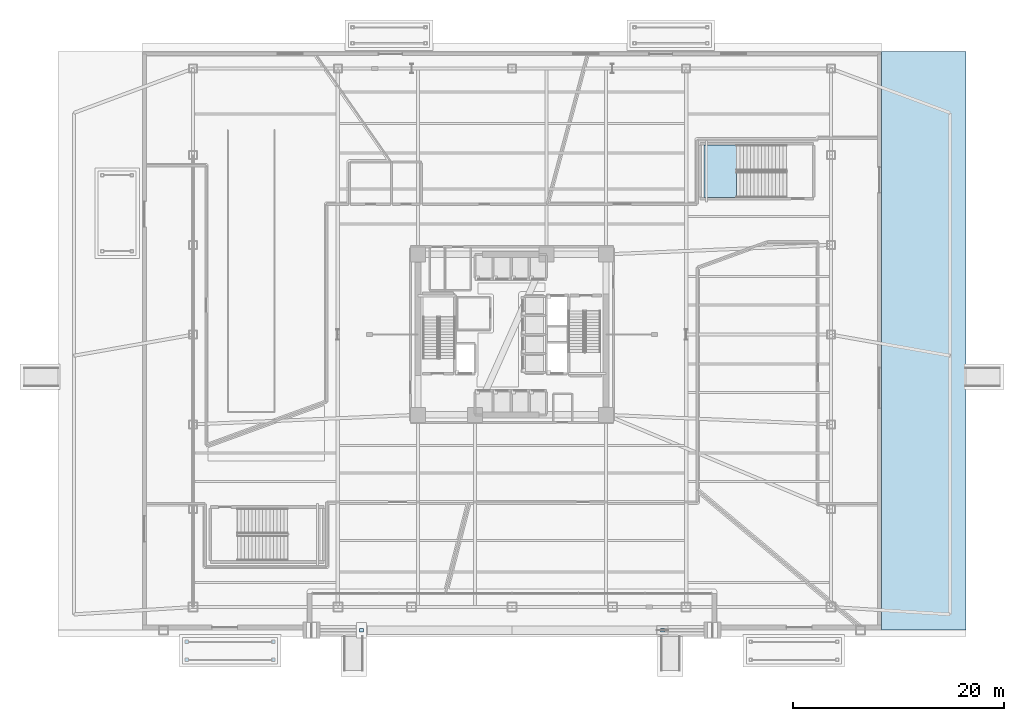
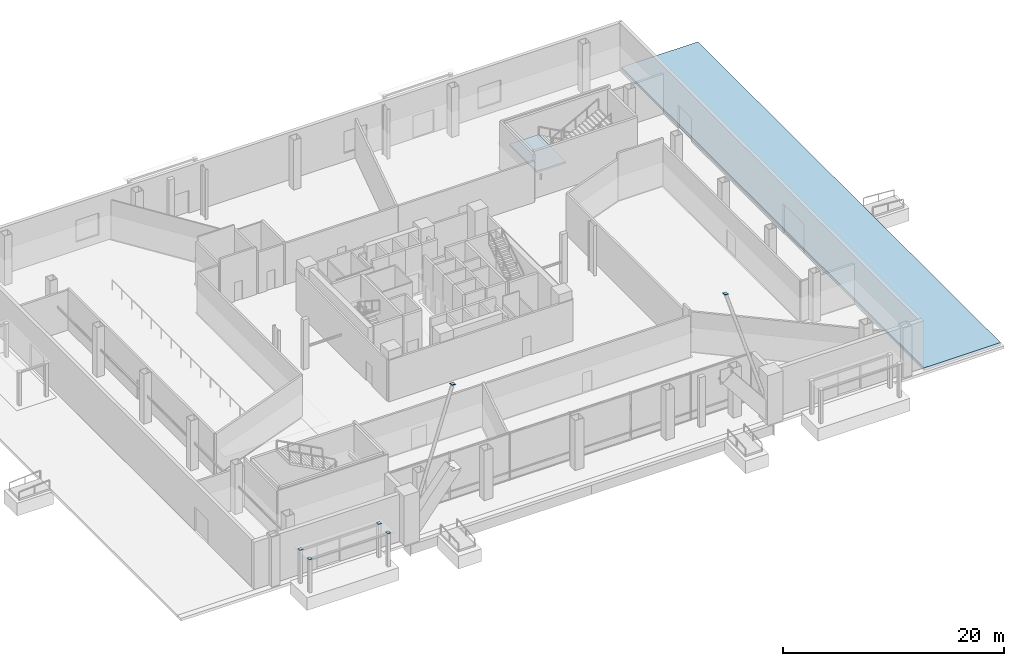
# One storey, part 13 of 27: 6 plates, 2 slabs, 1 element without a shape of its own.
"""IFC4 building model written with IfcOpenShell, lengths in metres."""

from ifc_helpers import new_model, si_unit, direction, frame, origin, origin_2d, place, context, subcontext, project, spatial, polyline, rectangle, outline, extrude, material, layer, layer_set, type_object, element, aggregate, save


model = new_model("IFC4")

# Units and contexts
model_context = context("Model", 3, precision=1e-05, world=origin(), true_north=direction((0.0, 1.0)))
body_context = subcontext(model_context, "Body", "Model", "MODEL_VIEW")
ifc_project = project(units=[si_unit("LENGTHUNIT", "METRE"), si_unit("AREAUNIT", "SQUARE_METRE"), si_unit("VOLUMEUNIT", "CUBIC_METRE"), si_unit("PLANEANGLEUNIT", "RADIAN"), si_unit("MASSUNIT", "GRAM", prefix="KILO")], contexts=[model_context])

# Site, building, storey
site_placement = place(None, origin())
site = spatial("IfcSite", under=ifc_project, at=site_placement, CompositionType="ELEMENT")
building_placement = place(site_placement, origin())
building = spatial("IfcBuilding", under=site, at=building_placement, Name="Tharavind Bronze Gate", CompositionType="ELEMENT")
storey_placement = place(building_placement, origin())
storey = spatial("IfcBuildingStorey", under=building, at=storey_placement, Name="L00", CompositionType="ELEMENT", Elevation=0.0)

# Slab
ifc_material_1 = material(Name="Concrete C40/50", Category="concrete")
ifc_layer_1 = layer(ifc_material_1, 0.300048828125)
ifc_layer_set_1 = layer_set([ifc_layer_1], Name="Concrete C40/50")
slab_type_1 = type_object("IfcSlabType", Name="EXTERIOR TERRACE SLAB 300", PredefinedType="FLOOR", material=ifc_layer_set_1)
slab_1_placement = place(storey_placement, frame((0.0, 0.0, -0.300048828125)))
element("IfcSlab", 1, at=slab_1_placement, inside=storey, type_object=slab_type_1, Name="L00 bronze arch arrival plaza terrace E", PredefinedType="FLOOR", context=body_context, shape_type="SweptSolid", body=[
    extrude(outline(polyline([(35.0, -28.0), (43.0, -28.0), (43.0, 26.800048828125), (35.0, 26.800048828125), (35.0, -28.0)])), origin(), (0.0, 0.0, 1.0), 0.300048828125),
])

# Stair, slab
stair_type = type_object("IfcStairType", Name="PODIUM HALF TURN STAIR 2400", PredefinedType="HALF_TURN_STAIR", material=ifc_material_1)
stair_placement = place(storey_placement, origin())
stair = element("IfcStair", 2, at=stair_placement, inside=storey, type_object=stair_type, Name="L00 Protected Exit Stair ST4", PredefinedType="HALF_TURN_STAIR")
ifc_layer_2 = layer(ifc_material_1, 0.199951171875)
ifc_layer_set_2 = layer_set([ifc_layer_2], Name="Concrete C40/50")
slab_type_2 = type_object("IfcSlabType", Name="STAIR LANDING SLAB 200", PredefinedType="LANDING", material=ifc_layer_set_2)
slab_2_placement = place(storey_placement, frame((0.0, 0.0, 2.550048828125)))
slab_2 = element("IfcSlab", 3, at=slab_2_placement, type_object=slab_type_2, Name="ST4 landing 1", PredefinedType="LANDING", context=body_context, shape_type="SweptSolid", body=[
    extrude(outline(polyline([(21.239990234375, 17.949951171875), (18.199951171875, 17.949951171875), (18.199951171875, 13.0), (21.239990234375, 13.0), (21.239990234375, 17.949951171875)])), origin(), (0.0, 0.0, 1.0), 0.199951171875),
])
aggregate(stair, [slab_2])

# Plates
ifc_material_2 = material(Name="Steel S355", Category="steel")
ifc_layer_3 = layer(ifc_material_2, 0.02490234375)
ifc_layer_set_3 = layer_set([ifc_layer_3], Name="Steel S355")
plate_type = type_object("IfcPlateType", Name="STEEL END CAP SHEET S355 25", PredefinedType="SHEET", material=ifc_layer_set_3)
for number, where, z_axis, x_axis, name in (
    (4, (-14.25, -28.0, 15.4775390625), (0.0, 0.0, 1.0), (1.0, 0.0, 0.0), "Steel end cap plate CAP-ARCH-DG1B"),
    (5, (14.25, -28.0, 15.4775390625), (0.0, 0.0, 1.0), (1.0, 0.0, 0.0), "Steel end cap plate CAP-ARCH-DG8A"),
):
    element("IfcPlate", number, at=place(storey_placement, frame(where, z_axis=z_axis, x_axis=x_axis)), inside=storey, type_object=plate_type, Name=name, PredefinedType="SHEET", context=body_context, shape_type="SweptSolid", body=[
        extrude(rectangle(XDim=0.368896484375, YDim=0.368896484375, at=origin_2d()), origin(), (0.0, 0.0, 1.0), 0.02490234375),
    ])
for number, where, z_axis, x_axis, name in (
    (6, (-30.800048828125, -30.800048828125, 3.6875), (0.0, 0.0, 1.0), (1.0, 0.0, 0.0), "Steel end cap plate CAP-L00-CN1A"),
    (7, (-22.60009765625, -30.800048828125, 3.6875), (0.0, 0.0, 1.0), (1.0, 0.0, 0.0), "Steel end cap plate CAP-L00-CN1B"),
    (8, (-22.60009765625, -29.10009765625, 3.6875), (0.0, 0.0, 1.0), (1.0, 0.0, 0.0), "Steel end cap plate CAP-L00-CN1C"),
    (9, (-30.800048828125, -29.10009765625, 3.6875), (0.0, 0.0, 1.0), (1.0, 0.0, 0.0), "Steel end cap plate CAP-L00-CN1D"),
):
    element("IfcPlate", number, at=place(storey_placement, frame(where, z_axis=z_axis, x_axis=x_axis)), inside=storey, type_object=plate_type, Name=name, PredefinedType="SHEET", context=body_context, shape_type="SweptSolid", body=[
        extrude(rectangle(XDim=0.344970703125, YDim=0.344970703125, at=origin_2d()), origin(), (0.0, 0.0, 1.0), 0.02490234375),
    ])

save(model, "model.ifc")
